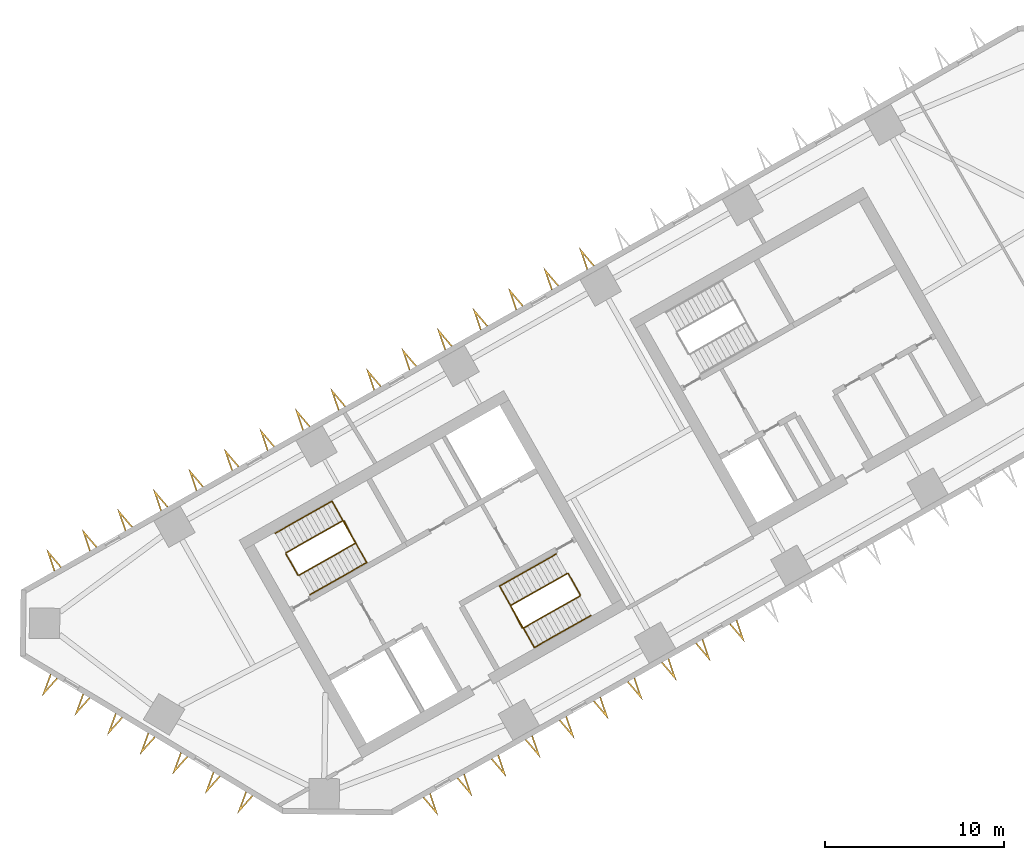
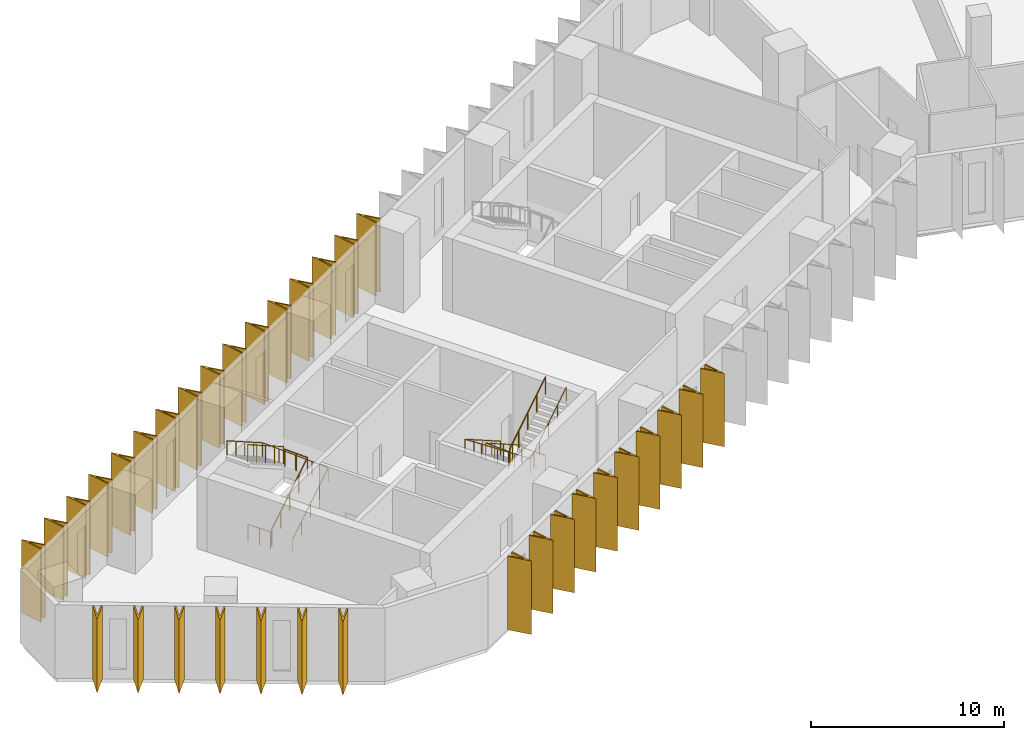
# One storey, part 9 of 11: 33 shading devices, 8 railings.
"""IFC4 building model written with IfcOpenShell, lengths in metres."""

from ifc_helpers import new_model, si_unit, direction, frame, origin, origin_2d, place, context, subcontext, project, spatial, polyline, circle, outline, extrude, material, type_object, element, save


model = new_model("IFC4")

# Units and contexts
model_context = context("Model", 3, precision=1e-05, world=origin(), true_north=direction((0.0, 1.0)))
body_context = subcontext(model_context, "Body", "Model", "MODEL_VIEW")
ifc_project = project(units=[si_unit("LENGTHUNIT", "METRE"), si_unit("AREAUNIT", "SQUARE_METRE"), si_unit("VOLUMEUNIT", "CUBIC_METRE"), si_unit("PLANEANGLEUNIT", "RADIAN"), si_unit("MASSUNIT", "GRAM", prefix="KILO")], contexts=[model_context])

# Site, building, storey
site_placement = place(None, origin())
site = spatial("IfcSite", under=ifc_project, at=site_placement, CompositionType="ELEMENT")
building_placement = place(site_placement, origin())
building = spatial("IfcBuilding", under=site, at=building_placement, Name="Binnacle Exchange Tower", CompositionType="ELEMENT")
storey_placement = place(building_placement, frame((0.0, 0.0, 86.5)))
storey = spatial("IfcBuildingStorey", under=building, at=storey_placement, Name="L17", CompositionType="ELEMENT", Elevation=86.5)

# Railings
ifc_material_1 = material(Name="Steel guard rail", Category="steel")
railing_type_1 = type_object("IfcRailingType", Name="STAIR GUARD 1100", PredefinedType="GUARDRAIL", material=ifc_material_1)
railing_1_placement = place(storey_placement, frame((-43.26171875, 39.71728515625, 0.178466796875)))
element("IfcRailing", 1, at=railing_1_placement, inside=storey, type_object=railing_type_1, Name="L17 STA1 stair guard 1", PredefinedType="GUARDRAIL", context=body_context, shape_type="SweptSolid", body=[
    extrude(circle(Radius=0.02392578125, at=origin_2d()), frame((0.0, 0.0, 1.076171875), z_axis=(0.733795554141, 0.415191658331, 0.537735968274), x_axis=(-0.492450612189, 0.870340390052, 0.0)), (0.0, 0.0, 1.0), 4.317138671875),
    extrude(circle(Radius=0.02392578125, at=origin_2d()), frame((3.16796875, 1.79248046875, 3.3974609375), z_axis=(-0.460963092712, 0.887419307406, 0.0), x_axis=(-0.887419307406, -0.460963092712, 0.0)), (0.0, 0.0, 1.0), 1.40087890625),
    extrude(circle(Radius=0.02099609375, at=origin_2d()), origin(), (0.0, 0.0, 1.0), 1.052001953125),
    extrude(circle(Radius=0.02099609375, at=origin_2d()), frame((0.7919921875, 0.4482421875, 0.580322265625)), (0.0, 0.0, 1.0), 1.052001953125),
    extrude(circle(Radius=0.02099609375, at=origin_2d()), frame((1.583984375, 0.896240234375, 1.16064453125)), (0.0, 0.0, 1.0), 1.052001953125),
    extrude(circle(Radius=0.02099609375, at=origin_2d()), frame((2.3759765625, 1.34423828125, 1.7412109375)), (0.0, 0.0, 1.0), 1.052001953125),
    extrude(circle(Radius=0.02099609375, at=origin_2d()), frame((3.16796875, 1.79248046875, 2.321533203125)), (0.0, 0.0, 1.0), 1.052001953125),
    extrude(circle(Radius=0.02099609375, at=origin_2d()), frame((2.84521484375, 2.4140625, 2.321533203125)), (0.0, 0.0, 1.0), 1.052001953125),
    extrude(circle(Radius=0.02099609375, at=origin_2d()), frame((2.522216796875, 3.03564453125, 2.321533203125)), (0.0, 0.0, 1.0), 1.052001953125),
])
railing_2_placement = place(storey_placement, frame((-40.8076171875, 42.771728515625, 2.678466796875)))
element("IfcRailing", 2, at=railing_2_placement, inside=storey, type_object=railing_type_1, Name="L17 STA1 stair guard 2", PredefinedType="GUARDRAIL", context=body_context, shape_type="SweptSolid", body=[
    extrude(circle(Radius=0.02392578125, at=origin_2d()), frame((0.0, 0.0, 1.076171875), z_axis=(-0.733821652932, -0.415174429824, 0.537713654753), x_axis=(0.492421866095, -0.870356654361, 0.0)), (0.0, 0.0, 1.0), 4.3173828125),
    extrude(circle(Radius=0.02099609375, at=origin_2d()), origin(), (0.0, 0.0, 1.0), 1.052001953125),
    extrude(circle(Radius=0.02099609375, at=origin_2d()), frame((-0.7919921875, -0.4482421875, 0.580322265625)), (0.0, 0.0, 1.0), 1.052001953125),
    extrude(circle(Radius=0.02099609375, at=origin_2d()), frame((-1.583984375, -0.896240234375, 1.16064453125)), (0.0, 0.0, 1.0), 1.052001953125),
    extrude(circle(Radius=0.02099609375, at=origin_2d()), frame((-2.376220703125, -1.34423828125, 1.7412109375)), (0.0, 0.0, 1.0), 1.052001953125),
    extrude(circle(Radius=0.02099609375, at=origin_2d()), frame((-3.168212890625, -1.79248046875, 2.321533203125)), (0.0, 0.0, 1.0), 1.052001953125),
])
railing_3_placement = place(storey_placement, frame((-43.329833984375, 39.736328125, 0.0)))
element("IfcRailing", 3, at=railing_3_placement, inside=storey, type_object=railing_type_1, Name="L17 STA1 stair guard 3", PredefinedType="GUARDRAIL", context=body_context, shape_type="SweptSolid", body=[
    extrude(circle(Radius=0.02392578125, at=origin_2d()), frame((0.0, 0.0, 1.076171875), z_axis=(-0.4924922531, 0.870316827734, 0.0), x_axis=(-0.870316827734, -0.4924922531, 0.0)), (0.0, 0.0, 1.0), 1.349853515625),
    extrude(circle(Radius=0.02099609375, at=origin_2d()), origin(), (0.0, 0.0, 1.0), 1.052001953125),
    extrude(circle(Radius=0.02099609375, at=origin_2d()), frame((-0.33251953125, 0.58740234375, 0.0)), (0.0, 0.0, 1.0), 1.052001953125),
    extrude(circle(Radius=0.02099609375, at=origin_2d()), frame((-0.664794921875, 1.1748046875, 0.0)), (0.0, 0.0, 1.0), 1.052001953125),
])
railing_4_placement = place(storey_placement, frame((-28.265380859375, 39.814453125, 0.178466796875)))
element("IfcRailing", 4, at=railing_4_placement, inside=storey, type_object=railing_type_1, Name="L17 STA2 stair guard 1", PredefinedType="GUARDRAIL", context=body_context, shape_type="SweptSolid", body=[
    extrude(circle(Radius=0.02392578125, at=origin_2d()), frame((0.0, 0.0, 1.076171875), z_axis=(-0.733821652932, -0.415174429824, 0.537713654753), x_axis=(0.492421866095, -0.870356654361, 0.0)), (0.0, 0.0, 1.0), 4.3173828125),
    extrude(circle(Radius=0.02392578125, at=origin_2d()), frame((-3.168212890625, -1.79248046875, 3.3974609375), z_axis=(0.461100321709, -0.887348011391, 0.0), x_axis=(0.887348011391, 0.461100321709, 0.0)), (0.0, 0.0, 1.0), 1.40087890625),
    extrude(circle(Radius=0.02099609375, at=origin_2d()), origin(), (0.0, 0.0, 1.0), 1.052001953125),
    extrude(circle(Radius=0.02099609375, at=origin_2d()), frame((-0.7919921875, -0.4482421875, 0.580322265625)), (0.0, 0.0, 1.0), 1.052001953125),
    extrude(circle(Radius=0.02099609375, at=origin_2d()), frame((-1.583984375, -0.896240234375, 1.16064453125)), (0.0, 0.0, 1.0), 1.052001953125),
    extrude(circle(Radius=0.02099609375, at=origin_2d()), frame((-2.376220703125, -1.34423828125, 1.7412109375)), (0.0, 0.0, 1.0), 1.052001953125),
    extrude(circle(Radius=0.02099609375, at=origin_2d()), frame((-3.168212890625, -1.79248046875, 2.321533203125)), (0.0, 0.0, 1.0), 1.052001953125),
    extrude(circle(Radius=0.02099609375, at=origin_2d()), frame((-2.84521484375, -2.4140625, 2.321533203125)), (0.0, 0.0, 1.0), 1.052001953125),
    extrude(circle(Radius=0.02099609375, at=origin_2d()), frame((-2.522216796875, -3.03564453125, 2.321533203125)), (0.0, 0.0, 1.0), 1.052001953125),
])
railing_5_placement = place(storey_placement, frame((-30.719482421875, 36.760009765625, 2.678466796875)))
element("IfcRailing", 5, at=railing_5_placement, inside=storey, type_object=railing_type_1, Name="L17 STA2 stair guard 2", PredefinedType="GUARDRAIL", context=body_context, shape_type="SweptSolid", body=[
    extrude(circle(Radius=0.02392578125, at=origin_2d()), frame((0.0, 0.0, 1.076171875), z_axis=(0.733795554141, 0.415191658331, 0.537735968274), x_axis=(-0.492450612189, 0.870340390052, 0.0)), (0.0, 0.0, 1.0), 4.317138671875),
    extrude(circle(Radius=0.02099609375, at=origin_2d()), origin(), (0.0, 0.0, 1.0), 1.052001953125),
    extrude(circle(Radius=0.02099609375, at=origin_2d()), frame((0.7919921875, 0.4482421875, 0.580322265625)), (0.0, 0.0, 1.0), 1.052001953125),
    extrude(circle(Radius=0.02099609375, at=origin_2d()), frame((1.583984375, 0.896240234375, 1.16064453125)), (0.0, 0.0, 1.0), 1.052001953125),
    extrude(circle(Radius=0.02099609375, at=origin_2d()), frame((2.3759765625, 1.34423828125, 1.7412109375)), (0.0, 0.0, 1.0), 1.052001953125),
    extrude(circle(Radius=0.02099609375, at=origin_2d()), frame((3.16796875, 1.79248046875, 2.321533203125)), (0.0, 0.0, 1.0), 1.052001953125),
])
railing_6_placement = place(storey_placement, frame((-28.197265625, 39.795654296875, 0.0)))
element("IfcRailing", 6, at=railing_6_placement, inside=storey, type_object=railing_type_1, Name="L17 STA2 stair guard 3", PredefinedType="GUARDRAIL", context=body_context, shape_type="SweptSolid", body=[
    extrude(circle(Radius=0.02392578125, at=origin_2d()), frame((0.0, 0.0, 1.076171875), z_axis=(0.49241474071, -0.870360685654, 0.0), x_axis=(0.870360685654, 0.49241474071, 0.0)), (0.0, 0.0, 1.0), 1.35009765625),
    extrude(circle(Radius=0.02099609375, at=origin_2d()), origin(), (0.0, 0.0, 1.0), 1.052001953125),
    extrude(circle(Radius=0.02099609375, at=origin_2d()), frame((0.33251953125, -0.58740234375, 0.0)), (0.0, 0.0, 1.0), 1.052001953125),
    extrude(circle(Radius=0.02099609375, at=origin_2d()), frame((0.664794921875, -1.175048828125, 0.0)), (0.0, 0.0, 1.0), 1.052001953125),
])
ifc_material_2 = material(Name="Steel handrail", Category="steel")
railing_type_2 = type_object("IfcRailingType", Name="STAIR HANDRAIL 900", PredefinedType="HANDRAIL", material=ifc_material_2)
railing_7_placement = place(storey_placement, frame((-42.646240234375, 38.62939453125, 0.178466796875)))
element("IfcRailing", 7, at=railing_7_placement, inside=storey, type_object=railing_type_2, Name="L17 STA1 stair handrail 1", PredefinedType="HANDRAIL", context=body_context, shape_type="SweptSolid", body=[
    extrude(circle(Radius=0.02392578125, at=origin_2d()), frame((0.0, 0.0, 0.8759765625), z_axis=(0.733821652932, 0.415174429824, 0.537713654753), x_axis=(-0.492421866095, 0.870356654361, 0.0)), (0.0, 0.0, 1.0), 4.3173828125),
    extrude(circle(Radius=0.02392578125, at=origin_2d()), frame((3.168212890625, 1.79248046875, 3.197265625), z_axis=(-0.491985021148, 0.869432866815, 0.045135674003), x_axis=(-0.870319839224, -0.492486931251, 0.0)), (0.0, 0.0, 1.0), 3.9541015625),
    extrude(circle(Radius=0.02392578125, at=origin_2d()), frame((1.222900390625, 5.230224609375, 3.3759765625), z_axis=(-0.733812782489, -0.415144854829, 0.537748593457), x_axis=(0.492399802317, -0.870369137021, 0.0)), (0.0, 0.0, 1.0), 4.317138671875),
    extrude(circle(Radius=0.02099609375, at=origin_2d()), origin(), (0.0, 0.0, 1.0), 0.851806640625),
    extrude(circle(Radius=0.02099609375, at=origin_2d()), frame((0.7919921875, 0.4482421875, 0.580322265625)), (0.0, 0.0, 1.0), 0.851806640625),
    extrude(circle(Radius=0.02099609375, at=origin_2d()), frame((1.583984375, 0.896240234375, 1.16064453125)), (0.0, 0.0, 1.0), 0.851806640625),
    extrude(circle(Radius=0.02099609375, at=origin_2d()), frame((2.376220703125, 1.34423828125, 1.7412109375)), (0.0, 0.0, 1.0), 0.851806640625),
    extrude(circle(Radius=0.02099609375, at=origin_2d()), frame((3.168212890625, 1.79248046875, 2.321533203125)), (0.0, 0.0, 1.0), 0.851806640625),
    extrude(circle(Radius=0.02099609375, at=origin_2d()), frame((2.681884765625, 2.65185546875, 2.3662109375)), (0.0, 0.0, 1.0), 0.851806640625),
    extrude(circle(Radius=0.02099609375, at=origin_2d()), frame((2.195556640625, 3.51123046875, 2.41064453125)), (0.0, 0.0, 1.0), 0.851806640625),
    extrude(circle(Radius=0.02099609375, at=origin_2d()), frame((1.709228515625, 4.370849609375, 2.455322265625)), (0.0, 0.0, 1.0), 0.851806640625),
    extrude(circle(Radius=0.02099609375, at=origin_2d()), frame((1.222900390625, 5.230224609375, 2.5)), (0.0, 0.0, 1.0), 0.851806640625),
    extrude(circle(Radius=0.02099609375, at=origin_2d()), frame((0.430908203125, 4.7822265625, 3.080322265625)), (0.0, 0.0, 1.0), 0.851806640625),
    extrude(circle(Radius=0.02099609375, at=origin_2d()), frame((-0.361083984375, 4.333984375, 3.66064453125)), (0.0, 0.0, 1.0), 0.851806640625),
    extrude(circle(Radius=0.02099609375, at=origin_2d()), frame((-1.153076171875, 3.885986328125, 4.2412109375)), (0.0, 0.0, 1.0), 0.851806640625),
    extrude(circle(Radius=0.02099609375, at=origin_2d()), frame((-1.945068359375, 3.43798828125, 4.821533203125)), (0.0, 0.0, 1.0), 0.851806640625),
])
railing_8_placement = place(storey_placement, frame((-28.880859375, 40.90234375, 0.178466796875)))
element("IfcRailing", 8, at=railing_8_placement, inside=storey, type_object=railing_type_2, Name="L17 STA2 stair handrail 1", PredefinedType="HANDRAIL", context=body_context, shape_type="SweptSolid", body=[
    extrude(circle(Radius=0.02392578125, at=origin_2d()), frame((0.0, 0.0, 0.8759765625), z_axis=(-0.733838880464, -0.415127627455, 0.537726278364), x_axis=(0.492371057291, -0.870385398511, 0.0)), (0.0, 0.0, 1.0), 4.3173828125),
    extrude(circle(Radius=0.02392578125, at=origin_2d()), frame((-3.168212890625, -1.792236328125, 3.197265625), z_axis=(0.491911810019, -0.86947434526, 0.045134621956), x_axis=(0.870361318571, 0.492413622004, 0.0)), (0.0, 0.0, 1.0), 3.9541015625),
    extrude(circle(Radius=0.02392578125, at=origin_2d()), frame((-1.22314453125, -5.230224609375, 3.3759765625), z_axis=(0.733821652932, 0.415174429824, 0.537713654753), x_axis=(-0.492421866095, 0.870356654361, 0.0)), (0.0, 0.0, 1.0), 4.3173828125),
    extrude(circle(Radius=0.02099609375, at=origin_2d()), origin(), (0.0, 0.0, 1.0), 0.851806640625),
    extrude(circle(Radius=0.02099609375, at=origin_2d()), frame((-0.7919921875, -0.447998046875, 0.580322265625)), (0.0, 0.0, 1.0), 0.851806640625),
    extrude(circle(Radius=0.02099609375, at=origin_2d()), frame((-1.583984375, -0.89599609375, 1.16064453125)), (0.0, 0.0, 1.0), 0.851806640625),
    extrude(circle(Radius=0.02099609375, at=origin_2d()), frame((-2.376220703125, -1.34423828125, 1.7412109375)), (0.0, 0.0, 1.0), 0.851806640625),
    extrude(circle(Radius=0.02099609375, at=origin_2d()), frame((-3.168212890625, -1.792236328125, 2.321533203125)), (0.0, 0.0, 1.0), 0.851806640625),
    extrude(circle(Radius=0.02099609375, at=origin_2d()), frame((-2.681884765625, -2.65185546875, 2.3662109375)), (0.0, 0.0, 1.0), 0.851806640625),
    extrude(circle(Radius=0.02099609375, at=origin_2d()), frame((-2.19580078125, -3.51123046875, 2.41064453125)), (0.0, 0.0, 1.0), 0.851806640625),
    extrude(circle(Radius=0.02099609375, at=origin_2d()), frame((-1.70947265625, -4.37060546875, 2.455322265625)), (0.0, 0.0, 1.0), 0.851806640625),
    extrude(circle(Radius=0.02099609375, at=origin_2d()), frame((-1.22314453125, -5.230224609375, 2.5)), (0.0, 0.0, 1.0), 0.851806640625),
    extrude(circle(Radius=0.02099609375, at=origin_2d()), frame((-0.43115234375, -4.7822265625, 3.080322265625)), (0.0, 0.0, 1.0), 0.851806640625),
    extrude(circle(Radius=0.02099609375, at=origin_2d()), frame((0.36083984375, -4.333984375, 3.66064453125)), (0.0, 0.0, 1.0), 0.851806640625),
    extrude(circle(Radius=0.02099609375, at=origin_2d()), frame((1.153076171875, -3.8857421875, 4.2412109375)), (0.0, 0.0, 1.0), 0.851806640625),
    extrude(circle(Radius=0.02099609375, at=origin_2d()), frame((1.945068359375, -3.437744140625, 4.821533203125)), (0.0, 0.0, 1.0), 0.851806640625),
])

# Shading devices
ifc_material_3 = material(Name="Bronze aluminium cladding", Category="aluminium")
shading_device_type = type_object("IfcShadingDeviceType", Name="V FIN 1300 DEEP x 4650 HIGH", PredefinedType="USERDEFINED", material=ifc_material_3)
shading_device_1_placement = place(storey_placement, origin())
element("IfcShadingDevice", 9, at=shading_device_1_placement, inside=storey, type_object=shading_device_type, Name="V fin FN-F03-12 L17", ObjectType="FIN", PredefinedType="USERDEFINED", context=body_context, shape_type="SweptSolid", body=[
    extrude(outline(polyline([(-26.7412109375, 57.04296875), (-27.59912109375, 58.05126953125), (-27.176513671875, 56.796630859375), (-27.10546875, 56.8369140625), (-27.390380859375, 57.6826171875), (-26.81201171875, 57.002685546875), (-26.7412109375, 57.04296875)])), origin(), (0.0, 0.0, 1.0), 4.64990234375),
])
shading_device_2_placement = place(storey_placement, origin())
element("IfcShadingDevice", 10, at=shading_device_2_placement, inside=storey, type_object=shading_device_type, Name="V fin FN-F03-13 L17", ObjectType="FIN", PredefinedType="USERDEFINED", context=body_context, shape_type="SweptSolid", body=[
    extrude(outline(polyline([(-28.727783203125, 55.9189453125), (-29.58544921875, 56.92724609375), (-29.162841796875, 55.672607421875), (-29.092041015625, 55.712890625), (-29.376708984375, 56.55859375), (-28.798583984375, 55.87890625), (-28.727783203125, 55.9189453125)])), origin(), (0.0, 0.0, 1.0), 4.64990234375),
])
shading_device_3_placement = place(storey_placement, origin())
element("IfcShadingDevice", 11, at=shading_device_3_placement, inside=storey, type_object=shading_device_type, Name="V fin FN-F03-14 L17", ObjectType="FIN", PredefinedType="USERDEFINED", context=body_context, shape_type="SweptSolid", body=[
    extrude(outline(polyline([(-30.71435546875, 54.794921875), (-31.572021484375, 55.803466796875), (-31.1494140625, 54.548828125), (-31.07861328125, 54.5888671875), (-31.36328125, 55.434814453125), (-30.78515625, 54.7548828125), (-30.71435546875, 54.794921875)])), origin(), (0.0, 0.0, 1.0), 4.64990234375),
])
shading_device_4_placement = place(storey_placement, origin())
element("IfcShadingDevice", 12, at=shading_device_4_placement, inside=storey, type_object=shading_device_type, Name="V fin FN-F03-15 L17", ObjectType="FIN", PredefinedType="USERDEFINED", context=body_context, shape_type="SweptSolid", body=[
    extrude(outline(polyline([(-32.70068359375, 53.6708984375), (-33.55859375, 54.679443359375), (-33.135986328125, 53.4248046875), (-33.065185546875, 53.46484375), (-33.349853515625, 54.310791015625), (-32.771728515625, 53.630859375), (-32.70068359375, 53.6708984375)])), origin(), (0.0, 0.0, 1.0), 4.64990234375),
])
shading_device_5_placement = place(storey_placement, origin())
element("IfcShadingDevice", 13, at=shading_device_5_placement, inside=storey, type_object=shading_device_type, Name="V fin FN-F03-16 L17", ObjectType="FIN", PredefinedType="USERDEFINED", context=body_context, shape_type="SweptSolid", body=[
    extrude(outline(polyline([(-34.687255859375, 52.547119140625), (-35.545166015625, 53.555419921875), (-35.12255859375, 52.30078125), (-35.051513671875, 52.341064453125), (-35.33642578125, 53.186767578125), (-34.75830078125, 52.507080078125), (-34.687255859375, 52.547119140625)])), origin(), (0.0, 0.0, 1.0), 4.64990234375),
])
shading_device_6_placement = place(storey_placement, origin())
element("IfcShadingDevice", 14, at=shading_device_6_placement, inside=storey, type_object=shading_device_type, Name="V fin FN-F03-17 L17", ObjectType="FIN", PredefinedType="USERDEFINED", context=body_context, shape_type="SweptSolid", body=[
    extrude(outline(polyline([(-36.673828125, 51.423095703125), (-37.53173828125, 52.431640625), (-37.109130859375, 51.177001953125), (-37.0380859375, 51.217041015625), (-37.322998046875, 52.06298828125), (-36.744873046875, 51.383056640625), (-36.673828125, 51.423095703125)])), origin(), (0.0, 0.0, 1.0), 4.64990234375),
])
shading_device_7_placement = place(storey_placement, origin())
element("IfcShadingDevice", 15, at=shading_device_7_placement, inside=storey, type_object=shading_device_type, Name="V fin FN-F03-18 L17", ObjectType="FIN", PredefinedType="USERDEFINED", context=body_context, shape_type="SweptSolid", body=[
    extrude(outline(polyline([(-38.660400390625, 50.29931640625), (-39.518310546875, 51.3076171875), (-39.095703125, 50.052978515625), (-39.02490234375, 50.093017578125), (-39.3095703125, 50.93896484375), (-38.7314453125, 50.259033203125), (-38.660400390625, 50.29931640625)])), origin(), (0.0, 0.0, 1.0), 4.64990234375),
])
shading_device_8_placement = place(storey_placement, origin())
element("IfcShadingDevice", 16, at=shading_device_8_placement, inside=storey, type_object=shading_device_type, Name="V fin FN-F03-19 L17", ObjectType="FIN", PredefinedType="USERDEFINED", context=body_context, shape_type="SweptSolid", body=[
    extrude(outline(polyline([(-40.64697265625, 49.17529296875), (-41.5048828125, 50.18359375), (-41.082275390625, 48.92919921875), (-41.01123046875, 48.96923828125), (-41.296142578125, 49.81494140625), (-40.718017578125, 49.13525390625), (-40.64697265625, 49.17529296875)])), origin(), (0.0, 0.0, 1.0), 4.64990234375),
])
shading_device_9_placement = place(storey_placement, origin())
element("IfcShadingDevice", 17, at=shading_device_9_placement, inside=storey, type_object=shading_device_type, Name="V fin FN-F03-20 L17", ObjectType="FIN", PredefinedType="USERDEFINED", context=body_context, shape_type="SweptSolid", body=[
    extrude(outline(polyline([(-42.633544921875, 48.05126953125), (-43.491455078125, 49.059814453125), (-43.06884765625, 47.80517578125), (-42.997802734375, 47.84521484375), (-43.28271484375, 48.69091796875), (-42.70458984375, 48.01123046875), (-42.633544921875, 48.05126953125)])), origin(), (0.0, 0.0, 1.0), 4.64990234375),
])
shading_device_10_placement = place(storey_placement, origin())
element("IfcShadingDevice", 18, at=shading_device_10_placement, inside=storey, type_object=shading_device_type, Name="V fin FN-F03-21 L17", ObjectType="FIN", PredefinedType="USERDEFINED", context=body_context, shape_type="SweptSolid", body=[
    extrude(outline(polyline([(-44.6201171875, 46.927490234375), (-45.47802734375, 47.935791015625), (-45.055419921875, 46.68115234375), (-44.984619140625, 46.72119140625), (-45.269287109375, 47.567138671875), (-44.691162109375, 46.88720703125), (-44.6201171875, 46.927490234375)])), origin(), (0.0, 0.0, 1.0), 4.64990234375),
])
shading_device_11_placement = place(storey_placement, origin())
element("IfcShadingDevice", 19, at=shading_device_11_placement, inside=storey, type_object=shading_device_type, Name="V fin FN-F03-22 L17", ObjectType="FIN", PredefinedType="USERDEFINED", context=body_context, shape_type="SweptSolid", body=[
    extrude(outline(polyline([(-46.606689453125, 45.803466796875), (-47.464599609375, 46.81201171875), (-47.0419921875, 45.557373046875), (-46.970947265625, 45.597412109375), (-47.255859375, 46.443115234375), (-46.677490234375, 45.763427734375), (-46.606689453125, 45.803466796875)])), origin(), (0.0, 0.0, 1.0), 4.64990234375),
])
shading_device_12_placement = place(storey_placement, origin())
element("IfcShadingDevice", 20, at=shading_device_12_placement, inside=storey, type_object=shading_device_type, Name="V fin FN-F03-23 L17", ObjectType="FIN", PredefinedType="USERDEFINED", context=body_context, shape_type="SweptSolid", body=[
    extrude(outline(polyline([(-48.59326171875, 44.679443359375), (-49.451171875, 45.68798828125), (-49.028564453125, 44.433349609375), (-48.95751953125, 44.473388671875), (-49.242431640625, 45.319091796875), (-48.664306640625, 44.639404296875), (-48.59326171875, 44.679443359375)])), origin(), (0.0, 0.0, 1.0), 4.64990234375),
])
shading_device_13_placement = place(storey_placement, origin())
element("IfcShadingDevice", 21, at=shading_device_13_placement, inside=storey, type_object=shading_device_type, Name="V fin FN-F03-24 L17", ObjectType="FIN", PredefinedType="USERDEFINED", context=body_context, shape_type="SweptSolid", body=[
    extrude(outline(polyline([(-50.579833984375, 43.5556640625), (-51.4375, 44.56396484375), (-51.014892578125, 43.309326171875), (-50.944091796875, 43.349609375), (-51.22900390625, 44.1953125), (-50.650634765625, 43.515380859375), (-50.579833984375, 43.5556640625)])), origin(), (0.0, 0.0, 1.0), 4.64990234375),
])
shading_device_14_placement = place(storey_placement, origin())
element("IfcShadingDevice", 22, at=shading_device_14_placement, inside=storey, type_object=shading_device_type, Name="V fin FN-F03-25 L17", ObjectType="FIN", PredefinedType="USERDEFINED", context=body_context, shape_type="SweptSolid", body=[
    extrude(outline(polyline([(-52.56640625, 42.431640625), (-53.42431640625, 43.440185546875), (-53.001708984375, 42.185546875), (-52.9306640625, 42.2255859375), (-53.215576171875, 43.0712890625), (-52.63720703125, 42.3916015625), (-52.56640625, 42.431640625)])), origin(), (0.0, 0.0, 1.0), 4.64990234375),
])
shading_device_15_placement = place(storey_placement, origin())
element("IfcShadingDevice", 23, at=shading_device_15_placement, inside=storey, type_object=shading_device_type, Name="V fin FN-F03-26 L17", ObjectType="FIN", PredefinedType="USERDEFINED", context=body_context, shape_type="SweptSolid", body=[
    extrude(outline(polyline([(-54.552978515625, 41.3076171875), (-55.410888671875, 42.316162109375), (-54.98828125, 41.0615234375), (-54.917236328125, 41.1015625), (-55.2021484375, 41.947509765625), (-54.623779296875, 41.267578125), (-54.552978515625, 41.3076171875)])), origin(), (0.0, 0.0, 1.0), 4.64990234375),
])
shading_device_16_placement = place(storey_placement, origin())
element("IfcShadingDevice", 24, at=shading_device_16_placement, inside=storey, type_object=shading_device_type, Name="V fin FN-F03-27 L17", ObjectType="FIN", PredefinedType="USERDEFINED", context=body_context, shape_type="SweptSolid", body=[
    extrude(outline(polyline([(-56.53955078125, 40.183837890625), (-57.397216796875, 41.192138671875), (-56.974609375, 39.9375), (-56.90380859375, 39.977783203125), (-57.188720703125, 40.823486328125), (-56.6103515625, 40.143798828125), (-56.53955078125, 40.183837890625)])), origin(), (0.0, 0.0, 1.0), 4.64990234375),
])
shading_device_17_placement = place(storey_placement, origin())
element("IfcShadingDevice", 25, at=shading_device_17_placement, inside=storey, type_object=shading_device_type, Name="V fin FN-F05-01 L17", ObjectType="FIN", PredefinedType="USERDEFINED", context=body_context, shape_type="SweptSolid", body=[
    extrude(outline(polyline([(-57.18603515625, 34.185791015625), (-57.641357421875, 32.94287109375), (-56.757568359375, 33.92822265625), (-56.827392578125, 33.97021484375), (-57.423095703125, 33.305908203125), (-57.1162109375, 34.143798828125), (-57.18603515625, 34.185791015625)])), origin(), (0.0, 0.0, 1.0), 4.64990234375),
])
shading_device_18_placement = place(storey_placement, origin())
element("IfcShadingDevice", 26, at=shading_device_18_placement, inside=storey, type_object=shading_device_type, Name="V fin FN-F05-02 L17", ObjectType="FIN", PredefinedType="USERDEFINED", context=body_context, shape_type="SweptSolid", body=[
    extrude(outline(polyline([(-55.364501953125, 33.09130859375), (-55.81982421875, 31.848388671875), (-54.93603515625, 32.833740234375), (-55.005859375, 32.875732421875), (-55.601806640625, 32.21142578125), (-55.294921875, 33.04931640625), (-55.364501953125, 33.09130859375)])), origin(), (0.0, 0.0, 1.0), 4.64990234375),
])
shading_device_19_placement = place(storey_placement, origin())
element("IfcShadingDevice", 27, at=shading_device_19_placement, inside=storey, type_object=shading_device_type, Name="V fin FN-F05-03 L17", ObjectType="FIN", PredefinedType="USERDEFINED", context=body_context, shape_type="SweptSolid", body=[
    extrude(outline(polyline([(-53.543212890625, 31.9970703125), (-53.998291015625, 30.75390625), (-53.114501953125, 31.739501953125), (-53.184326171875, 31.781494140625), (-53.7802734375, 31.116943359375), (-53.473388671875, 31.955078125), (-53.543212890625, 31.9970703125)])), origin(), (0.0, 0.0, 1.0), 4.64990234375),
])
shading_device_20_placement = place(storey_placement, origin())
element("IfcShadingDevice", 28, at=shading_device_20_placement, inside=storey, type_object=shading_device_type, Name="V fin FN-F05-04 L17", ObjectType="FIN", PredefinedType="USERDEFINED", context=body_context, shape_type="SweptSolid", body=[
    extrude(outline(polyline([(-51.7216796875, 30.902587890625), (-52.1767578125, 29.659423828125), (-51.29296875, 30.64501953125), (-51.36279296875, 30.68701171875), (-51.958740234375, 30.0224609375), (-51.65185546875, 30.860595703125), (-51.7216796875, 30.902587890625)])), origin(), (0.0, 0.0, 1.0), 4.64990234375),
])
shading_device_21_placement = place(storey_placement, origin())
element("IfcShadingDevice", 29, at=shading_device_21_placement, inside=storey, type_object=shading_device_type, Name="V fin FN-F05-05 L17", ObjectType="FIN", PredefinedType="USERDEFINED", context=body_context, shape_type="SweptSolid", body=[
    extrude(outline(polyline([(-49.900146484375, 29.80810546875), (-50.35546875, 28.56494140625), (-49.4716796875, 29.55029296875), (-49.54150390625, 29.59228515625), (-50.13720703125, 28.927978515625), (-49.830322265625, 29.76611328125), (-49.900146484375, 29.80810546875)])), origin(), (0.0, 0.0, 1.0), 4.64990234375),
])
shading_device_22_placement = place(storey_placement, origin())
element("IfcShadingDevice", 30, at=shading_device_22_placement, inside=storey, type_object=shading_device_type, Name="V fin FN-F05-06 L17", ObjectType="FIN", PredefinedType="USERDEFINED", context=body_context, shape_type="SweptSolid", body=[
    extrude(outline(polyline([(-48.07861328125, 28.713623046875), (-48.533935546875, 27.470458984375), (-47.650146484375, 28.4560546875), (-47.719970703125, 28.498046875), (-48.31591796875, 27.83349609375), (-48.0087890625, 28.671630859375), (-48.07861328125, 28.713623046875)])), origin(), (0.0, 0.0, 1.0), 4.64990234375),
])
shading_device_23_placement = place(storey_placement, origin())
element("IfcShadingDevice", 31, at=shading_device_23_placement, inside=storey, type_object=shading_device_type, Name="V fin FN-F05-07 L17", ObjectType="FIN", PredefinedType="USERDEFINED", context=body_context, shape_type="SweptSolid", body=[
    extrude(outline(polyline([(-46.257080078125, 27.619140625), (-46.71240234375, 26.3759765625), (-45.82861328125, 27.361572265625), (-45.8984375, 27.403564453125), (-46.494384765625, 26.739013671875), (-46.1875, 27.5771484375), (-46.257080078125, 27.619140625)])), origin(), (0.0, 0.0, 1.0), 4.64990234375),
])
shading_device_24_placement = place(storey_placement, origin())
element("IfcShadingDevice", 32, at=shading_device_24_placement, inside=storey, type_object=shading_device_type, Name="V fin FN-F07-01 L17", ObjectType="FIN", PredefinedType="USERDEFINED", context=body_context, shape_type="SweptSolid", body=[
    extrude(outline(polyline([(-36.336669921875, 27.269287109375), (-35.47900390625, 26.260986328125), (-35.901611328125, 27.515625), (-35.972412109375, 27.4755859375), (-35.6875, 26.629638671875), (-36.265869140625, 27.3095703125), (-36.336669921875, 27.269287109375)])), origin(), (0.0, 0.0, 1.0), 4.64990234375),
])
shading_device_25_placement = place(storey_placement, origin())
element("IfcShadingDevice", 33, at=shading_device_25_placement, inside=storey, type_object=shading_device_type, Name="V fin FN-F07-02 L17", ObjectType="FIN", PredefinedType="USERDEFINED", context=body_context, shape_type="SweptSolid", body=[
    extrude(outline(polyline([(-34.431640625, 28.34716796875), (-33.573974609375, 27.338623046875), (-33.99658203125, 28.59326171875), (-34.0673828125, 28.55322265625), (-33.78271484375, 27.70751953125), (-34.36083984375, 28.38720703125), (-34.431640625, 28.34716796875)])), origin(), (0.0, 0.0, 1.0), 4.64990234375),
])
shading_device_26_placement = place(storey_placement, origin())
element("IfcShadingDevice", 34, at=shading_device_26_placement, inside=storey, type_object=shading_device_type, Name="V fin FN-F07-03 L17", ObjectType="FIN", PredefinedType="USERDEFINED", context=body_context, shape_type="SweptSolid", body=[
    extrude(outline(polyline([(-32.52685546875, 29.4248046875), (-31.669189453125, 28.41650390625), (-32.091796875, 29.671142578125), (-32.16259765625, 29.631103515625), (-31.877685546875, 28.78515625), (-32.4560546875, 29.465087890625), (-32.52685546875, 29.4248046875)])), origin(), (0.0, 0.0, 1.0), 4.64990234375),
])
shading_device_27_placement = place(storey_placement, origin())
element("IfcShadingDevice", 35, at=shading_device_27_placement, inside=storey, type_object=shading_device_type, Name="V fin FN-F07-04 L17", ObjectType="FIN", PredefinedType="USERDEFINED", context=body_context, shape_type="SweptSolid", body=[
    extrude(outline(polyline([(-30.6220703125, 30.502685546875), (-29.76416015625, 29.494140625), (-30.186767578125, 30.748779296875), (-30.2578125, 30.708740234375), (-29.972900390625, 29.86279296875), (-30.551025390625, 30.542724609375), (-30.6220703125, 30.502685546875)])), origin(), (0.0, 0.0, 1.0), 4.64990234375),
])
shading_device_28_placement = place(storey_placement, origin())
element("IfcShadingDevice", 36, at=shading_device_28_placement, inside=storey, type_object=shading_device_type, Name="V fin FN-F07-05 L17", ObjectType="FIN", PredefinedType="USERDEFINED", context=body_context, shape_type="SweptSolid", body=[
    extrude(outline(polyline([(-28.717041015625, 31.580322265625), (-27.859375, 30.572021484375), (-28.281982421875, 31.826416015625), (-28.352783203125, 31.786376953125), (-28.068115234375, 30.940673828125), (-28.646240234375, 31.620361328125), (-28.717041015625, 31.580322265625)])), origin(), (0.0, 0.0, 1.0), 4.64990234375),
])
shading_device_29_placement = place(storey_placement, origin())
element("IfcShadingDevice", 37, at=shading_device_29_placement, inside=storey, type_object=shading_device_type, Name="V fin FN-F07-06 L17", ObjectType="FIN", PredefinedType="USERDEFINED", context=body_context, shape_type="SweptSolid", body=[
    extrude(outline(polyline([(-26.812255859375, 32.658203125), (-25.954345703125, 31.649658203125), (-26.376953125, 32.904296875), (-26.447998046875, 32.8642578125), (-26.1630859375, 32.018310546875), (-26.7412109375, 32.6982421875), (-26.812255859375, 32.658203125)])), origin(), (0.0, 0.0, 1.0), 4.64990234375),
])
shading_device_30_placement = place(storey_placement, origin())
element("IfcShadingDevice", 38, at=shading_device_30_placement, inside=storey, type_object=shading_device_type, Name="V fin FN-F07-07 L17", ObjectType="FIN", PredefinedType="USERDEFINED", context=body_context, shape_type="SweptSolid", body=[
    extrude(outline(polyline([(-24.9072265625, 33.73583984375), (-24.049560546875, 32.727294921875), (-24.47216796875, 33.98193359375), (-24.54296875, 33.94189453125), (-24.25830078125, 33.09619140625), (-24.83642578125, 33.77587890625), (-24.9072265625, 33.73583984375)])), origin(), (0.0, 0.0, 1.0), 4.64990234375),
])
shading_device_31_placement = place(storey_placement, origin())
element("IfcShadingDevice", 39, at=shading_device_31_placement, inside=storey, type_object=shading_device_type, Name="V fin FN-F07-08 L17", ObjectType="FIN", PredefinedType="USERDEFINED", context=body_context, shape_type="SweptSolid", body=[
    extrude(outline(polyline([(-23.00244140625, 34.8134765625), (-22.14453125, 33.80517578125), (-22.567138671875, 35.059814453125), (-22.63818359375, 35.01953125), (-22.353271484375, 34.173828125), (-22.931396484375, 34.853515625), (-23.00244140625, 34.8134765625)])), origin(), (0.0, 0.0, 1.0), 4.64990234375),
])
shading_device_32_placement = place(storey_placement, origin())
element("IfcShadingDevice", 40, at=shading_device_32_placement, inside=storey, type_object=shading_device_type, Name="V fin FN-F07-09 L17", ObjectType="FIN", PredefinedType="USERDEFINED", context=body_context, shape_type="SweptSolid", body=[
    extrude(outline(polyline([(-21.097412109375, 35.891357421875), (-20.23974609375, 34.8828125), (-20.662353515625, 36.137451171875), (-20.733154296875, 36.097412109375), (-20.448486328125, 35.251708984375), (-21.026611328125, 35.931396484375), (-21.097412109375, 35.891357421875)])), origin(), (0.0, 0.0, 1.0), 4.64990234375),
])
shading_device_33_placement = place(storey_placement, origin())
element("IfcShadingDevice", 41, at=shading_device_33_placement, inside=storey, type_object=shading_device_type, Name="V fin FN-F07-10 L17", ObjectType="FIN", PredefinedType="USERDEFINED", context=body_context, shape_type="SweptSolid", body=[
    extrude(outline(polyline([(-19.192626953125, 36.968994140625), (-18.334716796875, 35.960693359375), (-18.75732421875, 37.215087890625), (-18.828369140625, 37.175048828125), (-18.54345703125, 36.329345703125), (-19.12158203125, 37.009033203125), (-19.192626953125, 36.968994140625)])), origin(), (0.0, 0.0, 1.0), 4.64990234375),
])

save(model, "model.ifc")
